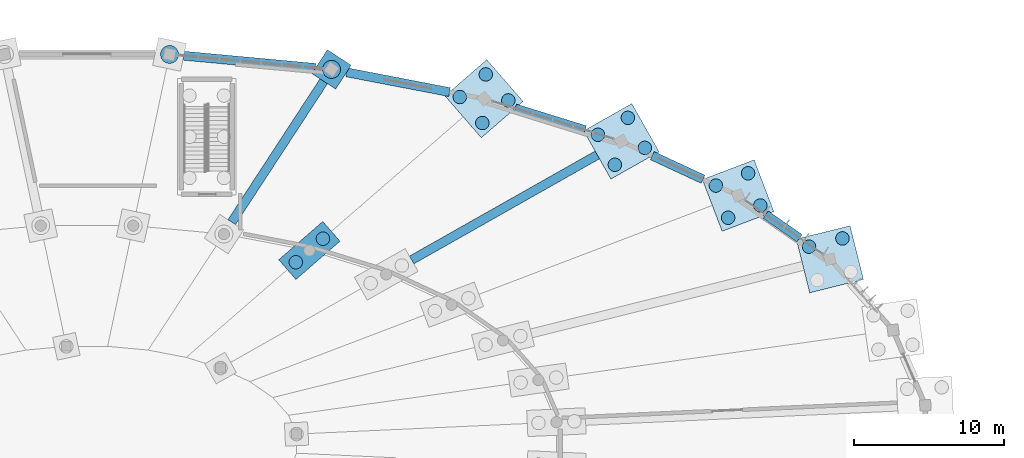
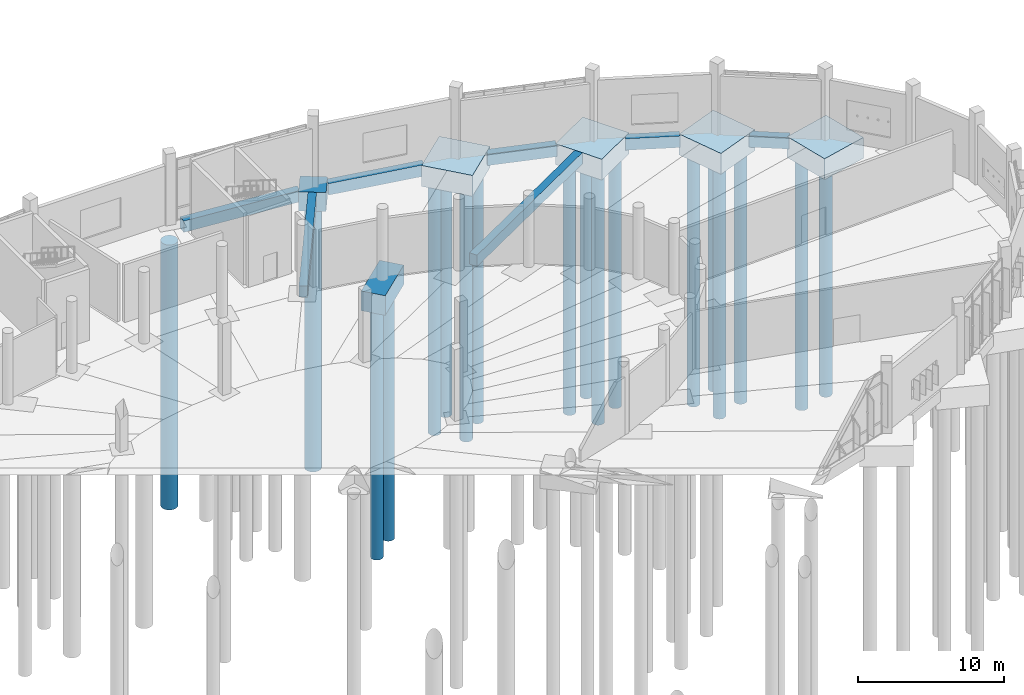
# One storey, part 13 of 140: 18 piles, 13 footings.
"""IFC4 building model written with IfcOpenShell, lengths in metres."""

from ifc_helpers import new_model, si_unit, direction, frame, origin, origin_2d, place, context, subcontext, project, spatial, rectangle, circle, extrude, material, layer, layer_set, material_profile, profile_set, type_object, element, save


model = new_model("IFC4")

# Units and contexts
model_context = context("Model", 3, precision=1e-05, world=origin(), true_north=direction((0.0, 1.0)))
body_context = subcontext(model_context, "Body", "Model", "MODEL_VIEW")
ifc_project = project(units=[si_unit("LENGTHUNIT", "METRE"), si_unit("AREAUNIT", "SQUARE_METRE"), si_unit("VOLUMEUNIT", "CUBIC_METRE"), si_unit("PLANEANGLEUNIT", "RADIAN"), si_unit("MASSUNIT", "GRAM", prefix="KILO")], contexts=[model_context])

# Site, building, storey
site_placement = place(None, origin())
site = spatial("IfcSite", under=ifc_project, at=site_placement, CompositionType="ELEMENT")
building_placement = place(site_placement, origin())
building = spatial("IfcBuilding", under=site, at=building_placement, Name="Corvandel Quay Wholesale Market", CompositionType="ELEMENT")
storey_placement = place(building_placement, origin())
storey = spatial("IfcBuildingStorey", under=building, at=storey_placement, Name="L00", CompositionType="ELEMENT", Elevation=0.0)

# Piles
ifc_material = material(Name="Concrete C40/50", Category="concrete")
ifc_material_profile_1 = material_profile(ifc_material, circle(Radius=0.60009765625, at=origin_2d()), Name="RC-PILE-D1200")
ifc_profile_set_1 = profile_set([ifc_material_profile_1], Name="Concrete C40/50")
pile_type_1 = type_object("IfcPileType", Name="Bored Pile D1200 L22.2", PredefinedType="BORED", material=ifc_profile_set_1)
for number, where, z_axis, x_axis, name in (
    (1, (130.3349609375, 141.0009765625, -1.5), (0.0, 0.0, -1.0), (1.0, 0.0, 0.0), "Bored Pile PIL-0373"),
    (2, (119.51611328125, 142.0, -1.5), (0.0, 0.0, -1.0), (1.0, 0.0, 0.0), "Bored Pile PIL-0375"),
):
    element("IfcPile", number, at=place(storey_placement, frame(where, z_axis=z_axis, x_axis=x_axis)), inside=storey, type_object=pile_type_1, Name=name, PredefinedType="BORED", context=body_context, shape_type="SweptSolid", body=[
        extrude(circle(Radius=0.60009765625, at=origin_2d()), origin(), (0.0, 0.0, 1.0), 22.199951171875),
    ])
ifc_material_profile_2 = material_profile(ifc_material, circle(Radius=0.449951171875, at=origin_2d()), Name="RC-PILE-D900")
ifc_profile_set_2 = profile_set([ifc_material_profile_2], Name="Concrete C40/50")
pile_type_2 = type_object("IfcPileType", Name="Bored Pile D900 L21.0", PredefinedType="BORED", material=ifc_profile_set_2)
for number, where, z_axis, x_axis, name in (
    (3, (164.466064453125, 129.708984375, -1.64990234375), (0.0, 0.0, -1.0), (1.0, 0.0, 0.0), "Bored Pile PIL-0349"),
    (4, (162.23388671875, 129.155029296875, -1.64990234375), (0.0, 0.0, -1.0), (1.0, 0.0, 0.0), "Bored Pile PIL-0351"),
    (5, (158.98193359375, 131.908935546875, -1.64990234375), (0.0, 0.0, -1.0), (1.0, 0.0, 0.0), "Bored Pile PIL-0354"),
    (6, (158.1630859375, 134.05810546875, -1.64990234375), (0.0, 0.0, -1.0), (1.0, 0.0, 0.0), "Bored Pile PIL-0355"),
    (7, (156.8330078125, 131.090087890625, -1.64990234375), (0.0, 0.0, -1.0), (1.0, 0.0, 0.0), "Bored Pile PIL-0356"),
    (8, (156.013916015625, 133.239013671875, -1.64990234375), (0.0, 0.0, -1.0), (1.0, 0.0, 0.0), "Bored Pile PIL-0357"),
    (9, (151.264892578125, 135.760986328125, -1.64990234375), (0.0, 0.0, -1.0), (1.0, 0.0, 0.0), "Bored Pile PIL-0360"),
    (10, (150.133056640625, 137.762939453125, -1.64990234375), (0.0, 0.0, -1.0), (1.0, 0.0, 0.0), "Bored Pile PIL-0361"),
    (11, (149.262939453125, 134.62890625, -1.64990234375), (0.0, 0.0, -1.0), (1.0, 0.0, 0.0), "Bored Pile PIL-0362"),
    (12, (148.131103515625, 136.631103515625, -1.64990234375), (0.0, 0.0, -1.0), (1.0, 0.0, 0.0), "Bored Pile PIL-0363"),
    (13, (142.14794921875, 138.927001953125, -1.64990234375), (0.0, 0.0, -1.0), (1.0, 0.0, 0.0), "Bored Pile PIL-0367"),
    (14, (140.639892578125, 140.6630859375, -1.64990234375), (0.0, 0.0, -1.0), (1.0, 0.0, 0.0), "Bored Pile PIL-0368"),
    (15, (140.412109375, 137.4189453125, -1.64990234375), (0.0, 0.0, -1.0), (1.0, 0.0, 0.0), "Bored Pile PIL-0369"),
    (16, (138.904052734375, 139.155029296875, -1.64990234375), (0.0, 0.0, -1.0), (1.0, 0.0, 0.0), "Bored Pile PIL-0370"),
    (17, (129.760986328125, 129.68994140625, -1.550048828125), (0.0, 0.0, -1.0), (1.0, 0.0, 0.0), "Bored Pile PIL-0371"),
    (18, (127.948974609375, 128.115966796875, -1.550048828125), (0.0, 0.0, -1.0), (1.0, 0.0, 0.0), "Bored Pile PIL-0372"),
):
    element("IfcPile", number, at=place(storey_placement, frame(where, z_axis=z_axis, x_axis=x_axis)), inside=storey, type_object=pile_type_2, Name=name, PredefinedType="BORED", context=body_context, shape_type="SweptSolid", body=[
        extrude(circle(Radius=0.449951171875, at=origin_2d()), origin(), (0.0, 0.0, 1.0), 21.0),
    ])

# Footings
ifc_layer_1 = layer(ifc_material, 1.64990234375)
ifc_layer_set_1 = layer_set([ifc_layer_1], Name="Concrete C40/50")
footing_type_1 = type_object("IfcFootingType", Name="Pile Cap PC03 1750x3900x1650", PredefinedType="PILE_CAP", material=ifc_layer_set_1)
footing_1_placement = place(storey_placement, frame((128.85498046875, 128.903076171875, -1.64990234375), z_axis=(0.0, 0.0, 1.0), x_axis=(-0.655795545685, 0.754938542041, 0.0)))
element("IfcFooting", 19, at=footing_1_placement, inside=storey, type_object=footing_type_1, Name="Pile Cap FND-0228", PredefinedType="PILE_CAP", context=body_context, shape_type="SweptSolid", body=[
    extrude(rectangle(XDim=1.75, YDim=3.89990234375, at=origin_2d()), origin(), (0.0, 0.0, 1.0), 1.64990234375),
])
ifc_layer_2 = layer(ifc_material, 1.75)
ifc_layer_set_2 = layer_set([ifc_layer_2], Name="Concrete C40/50")
footing_type_2 = type_object("IfcFootingType", Name="Pile Cap PC05 3700x3700x1750", PredefinedType="PILE_CAP", material=ifc_layer_set_2)
for number, where, z_axis, x_axis, name in (
    (20, (163.626953125, 128.31591796875, -1.75), (0.0, 0.0, 1.0), (-0.240905671828, 0.970548534222, 0.0), "Pile Cap FND-0220"),
    (21, (157.498046875, 132.573974609375, -1.75), (0.0, 0.0, 1.0), (-0.356085714679, 0.934453296747, 0.0), "Pile Cap FND-0222"),
    (22, (149.697998046875, 136.196044921875, -1.75), (0.0, 0.0, 1.0), (-0.492423560103, 0.87035569594, 0.0), "Pile Cap FND-0224"),
    (23, (140.52587890625, 139.041015625, -1.75), (0.0, 0.0, 1.0), (-0.655795545685, 0.754938542041, 0.0), "Pile Cap FND-0227"),
):
    element("IfcFooting", number, at=place(storey_placement, frame(where, z_axis=z_axis, x_axis=x_axis)), inside=storey, type_object=footing_type_2, Name=name, PredefinedType="PILE_CAP", context=body_context, shape_type="SweptSolid", body=[
        extrude(rectangle(XDim=3.699951171875, YDim=3.699951171875, at=origin_2d()), origin(), (0.0, 0.0, 1.0), 1.75),
    ])
ifc_layer_3 = layer(ifc_material, 1.60009765625)
ifc_layer_set_3 = layer_set([ifc_layer_3], Name="Concrete C40/50")
footing_type_3 = type_object("IfcFootingType", Name="Pile Cap PC16 1900x1900x1600", PredefinedType="PILE_CAP", material=ifc_layer_set_3)
footing_2_placement = place(storey_placement, frame((130.3349609375, 141.0009765625, -1.60009765625), z_axis=(0.0, 0.0, 1.0), x_axis=(-0.837146380758, 0.546978918409, 0.0)))
element("IfcFooting", 24, at=footing_2_placement, inside=storey, type_object=footing_type_3, Name="Pile Cap FND-0229", PredefinedType="PILE_CAP", context=body_context, shape_type="SweptSolid", body=[
    extrude(rectangle(XDim=1.89990234375, YDim=1.89990234375, at=origin_2d()), origin(), (0.0, 0.0, 1.0), 1.60009765625),
])
ifc_layer_4 = layer(ifc_material, 0.949951171875)
ifc_layer_set_4 = layer_set([ifc_layer_4], Name="Concrete C40/50")
footing_type_4 = type_object("IfcFootingType", Name="Seismic Tie Beam GB01 600x950", PredefinedType="FOOTING_BEAM", material=ifc_layer_set_4)
footing_3_placement = place(storey_placement, frame((160.471923828125, 130.508056640625, -0.9501953125), z_axis=(0.0, 0.0, 1.0), x_axis=(-0.821248804935, 0.570570241419, 0.0)))
element("IfcFooting", 25, at=footing_3_placement, inside=storey, type_object=footing_type_4, Name="Grade Beam FND-0290", PredefinedType="FOOTING_BEAM", context=body_context, shape_type="SweptSolid", body=[
    extrude(rectangle(XDim=2.760986328125, YDim=0.60009765625, at=origin_2d()), origin(), (0.0, 0.0, 1.0), 0.949951171875),
])
footing_4_placement = place(storey_placement, frame((153.458984375, 134.449951171875, -0.9501953125), z_axis=(0.0, 0.0, 1.0), x_axis=(-0.906970515865, 0.421194115999, 0.0)))
element("IfcFooting", 26, at=footing_4_placement, inside=storey, type_object=footing_type_4, Name="Grade Beam FND-0292", PredefinedType="FOOTING_BEAM", context=body_context, shape_type="SweptSolid", body=[
    extrude(rectangle(XDim=3.742919921875, YDim=0.60009765625, at=origin_2d()), origin(), (0.0, 0.0, 1.0), 0.949951171875),
])
footing_5_placement = place(storey_placement, frame((144.93798828125, 137.672119140625, -0.9501953125), z_axis=(0.0, 0.0, 1.0), x_axis=(-0.955123398809, 0.296208192067, 0.0)))
element("IfcFooting", 27, at=footing_5_placement, inside=storey, type_object=footing_type_4, Name="Grade Beam FND-0293", PredefinedType="FOOTING_BEAM", context=body_context, shape_type="SweptSolid", body=[
    extrude(rectangle(XDim=4.885986328125, YDim=0.60009765625, at=origin_2d()), origin(), (0.0, 0.0, 1.0), 0.949951171875),
])
footing_6_placement = place(storey_placement, frame((141.887939453125, 131.777099609375, -0.9501953125), z_axis=(0.0, 0.0, 1.0), x_axis=(0.87035569594, 0.492423560103, 0.0)))
element("IfcFooting", 28, at=footing_6_placement, inside=storey, type_object=footing_type_4, Name="Grade Beam FND-0294", PredefinedType="FOOTING_BEAM", context=body_context, shape_type="SweptSolid", body=[
    extrude(rectangle(XDim=14.2470703125, YDim=0.60009765625, at=origin_2d()), origin(), (0.0, 0.0, 1.0), 0.949951171875),
])
footing_7_placement = place(storey_placement, frame((134.780029296875, 140.14599609375, -0.9501953125), z_axis=(0.0, 0.0, 1.0), x_axis=(-0.981991701121, 0.188924055984, 0.0)))
element("IfcFooting", 29, at=footing_7_placement, inside=storey, type_object=footing_type_4, Name="Grade Beam FND-0295", PredefinedType="FOOTING_BEAM", context=body_context, shape_type="SweptSolid", body=[
    extrude(rectangle(XDim=6.9990234375, YDim=0.60009765625, at=origin_2d()), origin(), (0.0, 0.0, 1.0), 0.949951171875),
])
footing_8_placement = place(storey_placement, frame((124.866943359375, 141.506103515625, -0.9501953125), z_axis=(0.0, 0.0, 1.0), x_axis=(-0.995756880939, 0.092023008338, 0.0)))
element("IfcFooting", 30, at=footing_8_placement, inside=storey, type_object=footing_type_4, Name="Grade Beam FND-0296", PredefinedType="FOOTING_BEAM", context=body_context, shape_type="SweptSolid", body=[
    extrude(rectangle(XDim=8.833984375, YDim=0.60009765625, at=origin_2d()), origin(), (0.0, 0.0, 1.0), 0.949951171875),
])
footing_9_placement = place(storey_placement, frame((126.740966796875, 135.5, -0.9501953125), z_axis=(0.0, 0.0, 1.0), x_axis=(0.546978918409, 0.837146380758, 0.0)))
element("IfcFooting", 31, at=footing_9_placement, inside=storey, type_object=footing_type_4, Name="Grade Beam FND-0297", PredefinedType="FOOTING_BEAM", context=body_context, shape_type="SweptSolid", body=[
    extrude(rectangle(XDim=11.240966796875, YDim=0.60009765625, at=origin_2d()), origin(), (0.0, 0.0, 1.0), 0.949951171875),
])

save(model, "model.ifc")
